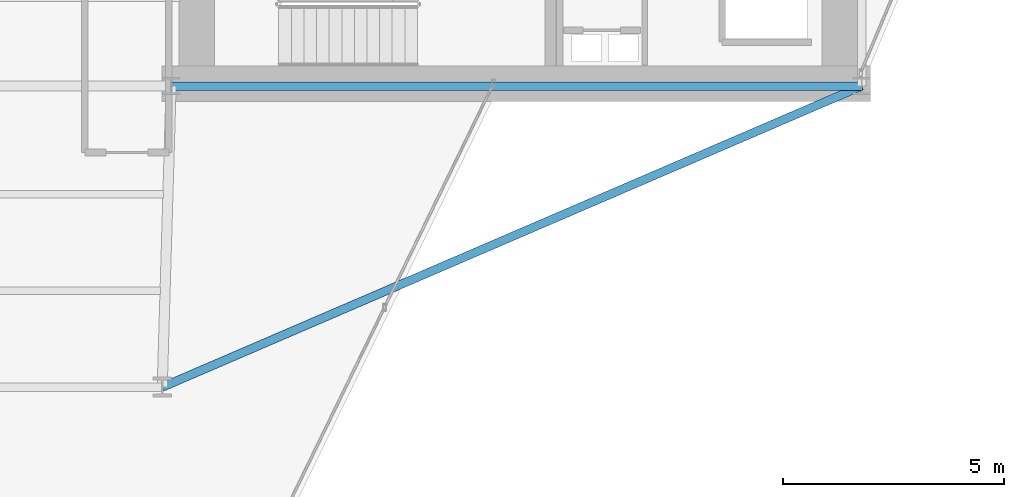
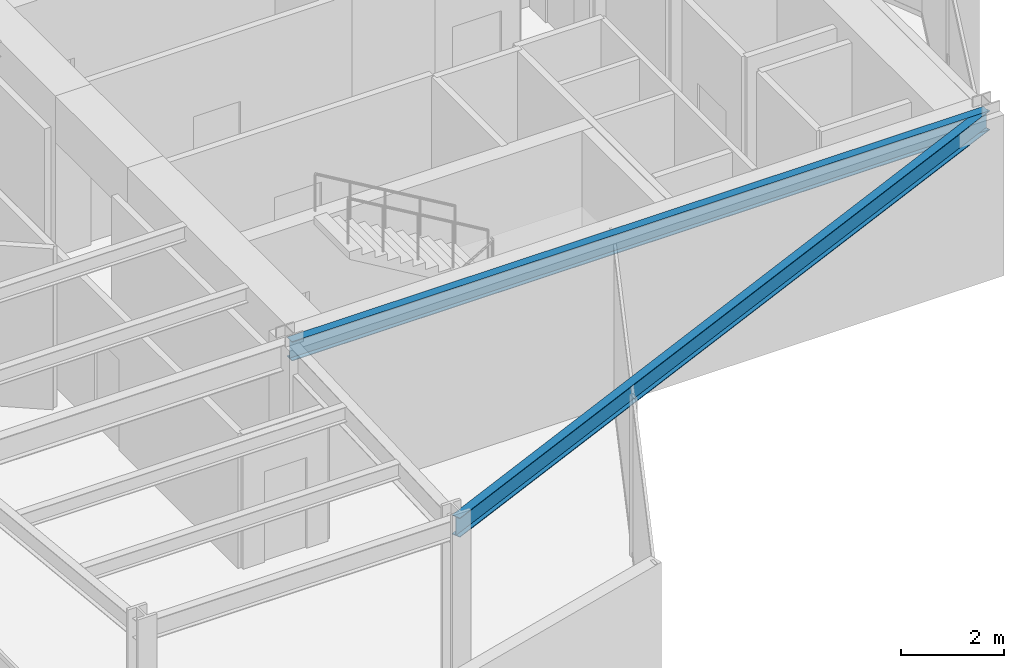
# One storey, part 12 of 25: 2 beams.
"""IFC4 building model written with IfcOpenShell, lengths in metres."""

from ifc_helpers import new_model, si_unit, direction, frame, origin, origin_2d, place, context, subcontext, project, spatial, i_section, extrude, material, material_profile, profile_set, type_object, element, save


model = new_model("IFC4")

# Units and contexts
model_context = context("Model", 3, precision=1e-05, world=origin(), true_north=direction((0.0, 1.0)))
body_context = subcontext(model_context, "Body", "Model", "MODEL_VIEW")
ifc_project = project(units=[si_unit("LENGTHUNIT", "METRE"), si_unit("AREAUNIT", "SQUARE_METRE"), si_unit("VOLUMEUNIT", "CUBIC_METRE"), si_unit("PLANEANGLEUNIT", "RADIAN"), si_unit("MASSUNIT", "GRAM", prefix="KILO")], contexts=[model_context])

# Site, building, storey
site_placement = place(None, origin())
site = spatial("IfcSite", under=ifc_project, at=site_placement, CompositionType="ELEMENT")
building_placement = place(site_placement, origin())
building = spatial("IfcBuilding", under=site, at=building_placement, Name="Veymaron Broadcast Tower", CompositionType="ELEMENT")
storey_placement = place(building_placement, frame((0.0, 0.0, 120.89990234375)))
storey = spatial("IfcBuildingStorey", under=building, at=storey_placement, Name="L27", CompositionType="ELEMENT", Elevation=120.89990234375)

# Beams
ifc_material = material(Name="Structural steel ASTM A992 Gr 50", Category="steel")
ifc_material_profile = material_profile(ifc_material, i_section(OverallWidth=0.19091796875, OverallDepth=0.4599609375, WebThickness=0.010009765625, FlangeThickness=0.01611328125, at=origin_2d()), Name="W460X82")
ifc_profile_set = profile_set([ifc_material_profile], Name="Structural steel ASTM A992 Gr 50")
beam_type = type_object("IfcBeamType", Name="BM-SP1", PredefinedType="SPANDREL", material=ifc_profile_set)
beam_1_placement = place(storey_placement, frame((39.0, 16.0, 3.580078125), z_axis=(1.0, 0.0, 0.0), x_axis=(0.0, 1.0, 0.0)))
element("IfcBeam", 1, at=beam_1_placement, inside=storey, type_object=beam_type, Name="L27 primary structural floor girder", PredefinedType="SPANDREL", context=body_context, shape_type="SweptSolid", body=[
    extrude(i_section(OverallWidth=0.19091796875, OverallDepth=0.4599609375, WebThickness=0.010009765625, FlangeThickness=0.01611328125, at=origin_2d()), origin(), (0.0, 0.0, 1.0), 15.60009765625),
])
beam_2_placement = place(storey_placement, frame((54.60009765625, 16.0, 3.580078125), z_axis=(-0.918541968862, -0.395323476964, 0.0), x_axis=(0.395323476964, -0.918541968862, 0.0)))
element("IfcBeam", 2, at=beam_2_placement, inside=storey, type_object=beam_type, Name="L27 primary structural floor girder", PredefinedType="SPANDREL", context=body_context, shape_type="SweptSolid", body=[
    extrude(i_section(OverallWidth=0.19091796875, OverallDepth=0.4599609375, WebThickness=0.010009765625, FlangeThickness=0.01611328125, at=origin_2d()), origin(), (0.0, 0.0, 1.0), 17.201171875),
])

save(model, "model.ifc")
